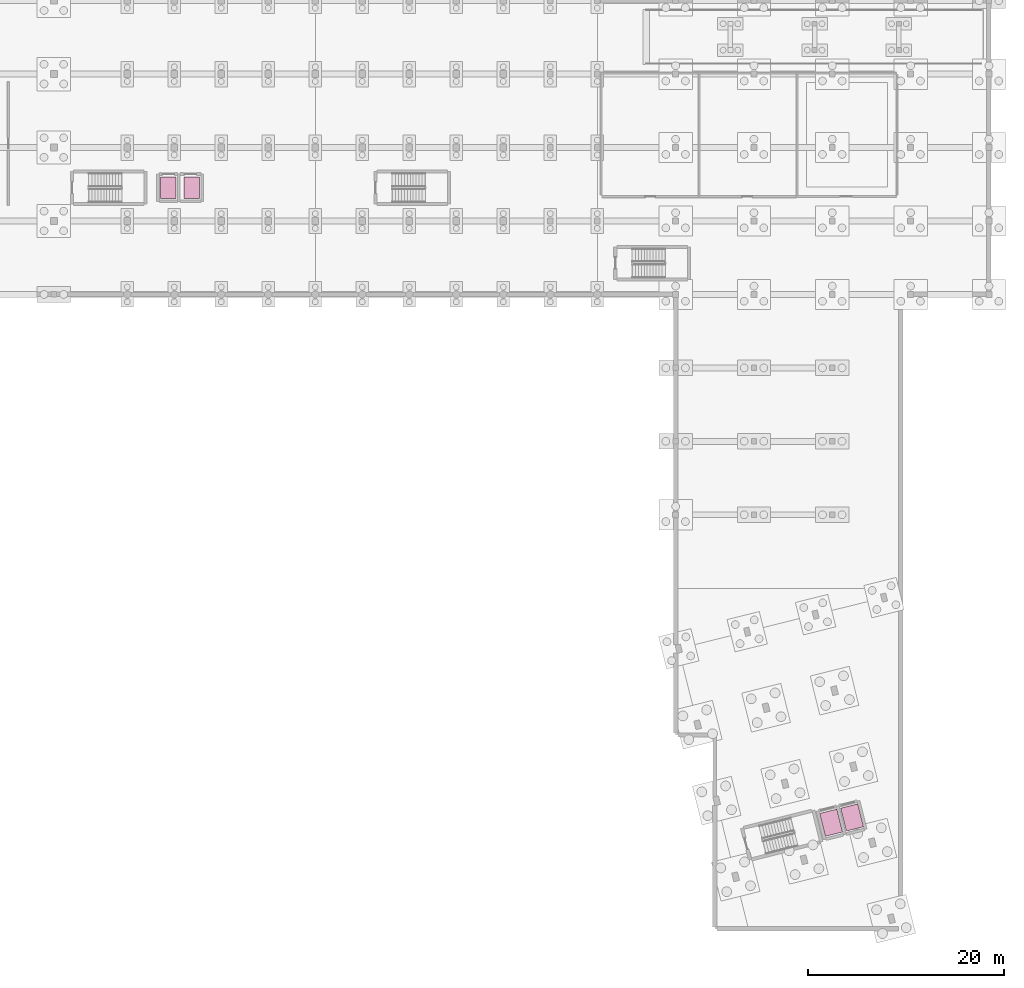
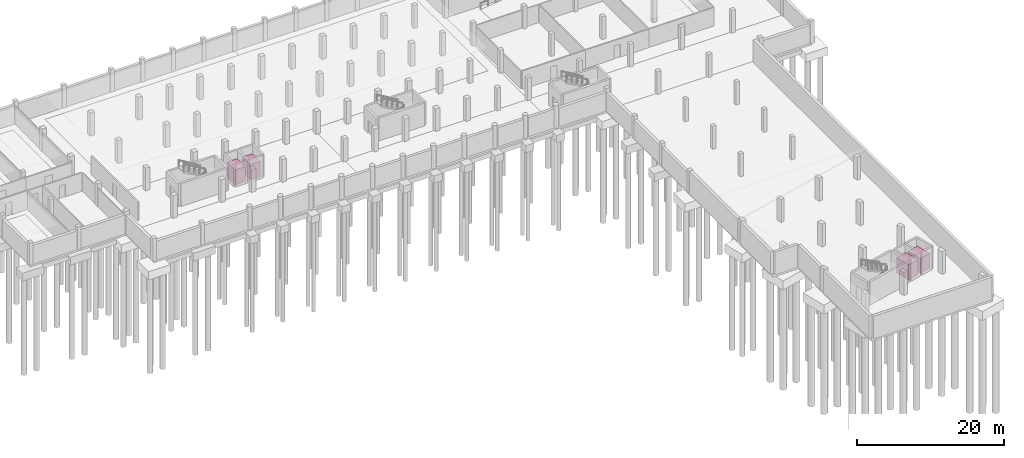
# One storey, part 17 of 17: 4 transport elements.
"""IFC4 building model written with IfcOpenShell, lengths in metres."""

from ifc_helpers import new_model, si_unit, direction, frame, origin, origin_2d, place, context, subcontext, project, spatial, rectangle, extrude, material, type_object, element, save


model = new_model("IFC4")

# Units and contexts
model_context = context("Model", 3, precision=1e-05, world=origin(), true_north=direction((0.0, 1.0)))
body_context = subcontext(model_context, "Body", "Model", "MODEL_VIEW")
ifc_project = project(units=[si_unit("LENGTHUNIT", "METRE"), si_unit("AREAUNIT", "SQUARE_METRE"), si_unit("VOLUMEUNIT", "CUBIC_METRE"), si_unit("PLANEANGLEUNIT", "RADIAN"), si_unit("MASSUNIT", "GRAM", prefix="KILO")], contexts=[model_context])

# Site, building, storey
site_placement = place(None, origin())
site = spatial("IfcSite", under=ifc_project, at=site_placement, CompositionType="ELEMENT")
building_placement = place(site_placement, origin())
building = spatial("IfcBuilding", under=site, at=building_placement, Name="Mawjan Specialist Oncology Clinic", CompositionType="ELEMENT")
storey_placement = place(building_placement, frame((0.0, 0.0, -4.199951171875)))
storey = spatial("IfcBuildingStorey", under=building, at=storey_placement, Name="B01", CompositionType="ELEMENT", Elevation=-4.199951171875)

# Transport elements
ifc_material_1 = material(Name="Stainless-steel traction elevator cab", Category="steel")
transport_element_type_1 = type_object("IfcTransportElementType", Name="LFT-BED", PredefinedType="ELEVATOR", material=ifc_material_1)
for number, where, z_axis, x_axis, name in (
    (1, (131.882568359375, 21.848388671875, 0.0), (0.0, 0.0, 1.0), (0.970295726276, 0.2419218956, 0.0), "Ambulance Stretcher Lift LF-01"),
    (2, (134.017333984375, 22.380615234375, 0.0), (0.0, 0.0, 1.0), (0.970295726276, 0.2419218956, 0.0), "Ambulance Stretcher Lift LF-02"),
):
    element("IfcTransportElement", number, at=place(storey_placement, frame(where, z_axis=z_axis, x_axis=x_axis)), inside=storey, type_object=transport_element_type_1, Name=name, PredefinedType="ELEVATOR", context=body_context, shape_type="SweptSolid", body=[
        extrude(rectangle(XDim=1.800048828125, YDim=2.39990234375, at=origin_2d()), origin(), (0.0, 0.0, 1.0), 2.5),
    ])
ifc_material_2 = material(Name="Stainless-steel traction elevator cab", Category="steel")
transport_element_type_2 = type_object("IfcTransportElementType", Name="LFT-SRV", PredefinedType="ELEVATOR", material=ifc_material_2)
for number, where, z_axis, x_axis, name in (
    (3, (64.199951171875, 86.699951171875, 0.0), (0.0, 0.0, 1.0), (1.0, 0.0, 0.0), "Clean Supply Service Lift LF-05"),
    (4, (66.60009765625, 86.699951171875, 0.0), (0.0, 0.0, 1.0), (1.0, 0.0, 0.0), "Soiled Holding Service Lift LF-06"),
):
    element("IfcTransportElement", number, at=place(storey_placement, frame(where, z_axis=z_axis, x_axis=x_axis)), inside=storey, type_object=transport_element_type_2, Name=name, PredefinedType="ELEVATOR", context=body_context, shape_type="SweptSolid", body=[
        extrude(rectangle(XDim=1.60009765625, YDim=2.199951171875, at=origin_2d()), origin(), (0.0, 0.0, 1.0), 2.5),
    ])

save(model, "model.ifc")
